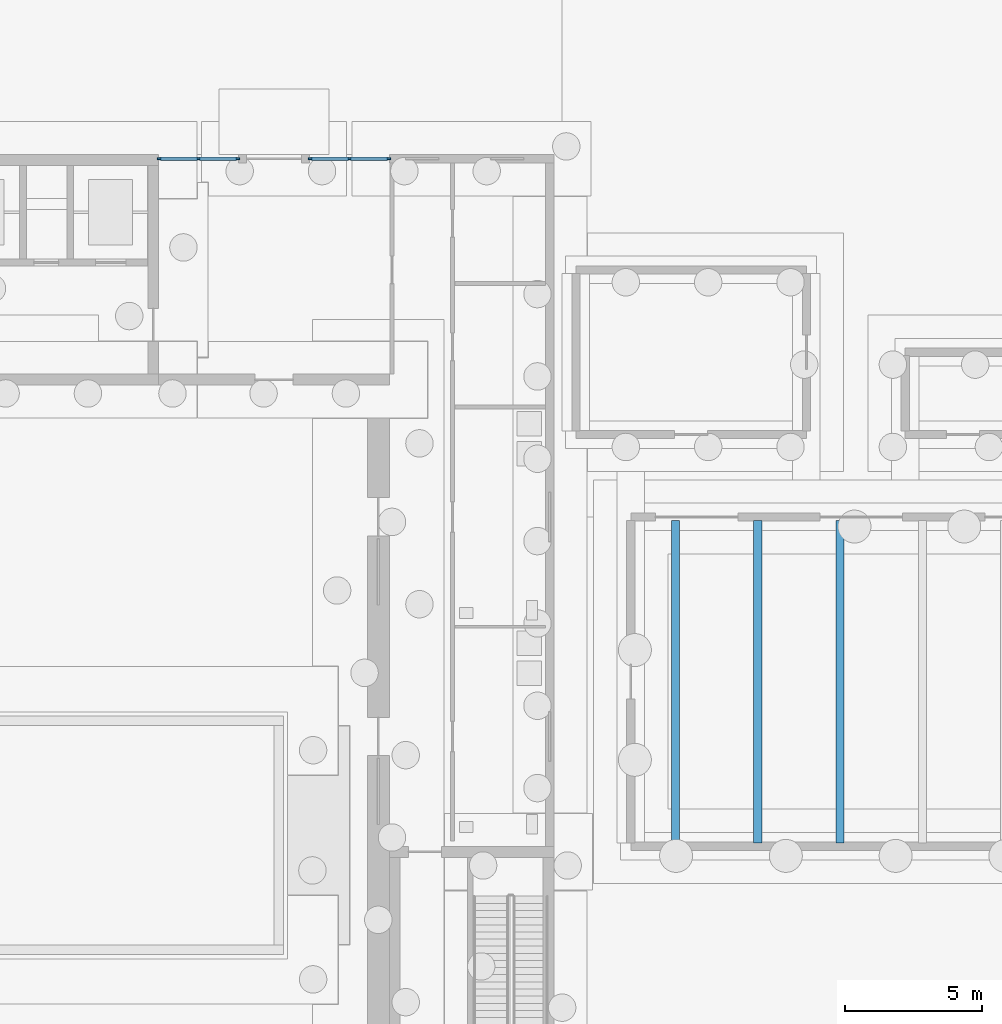
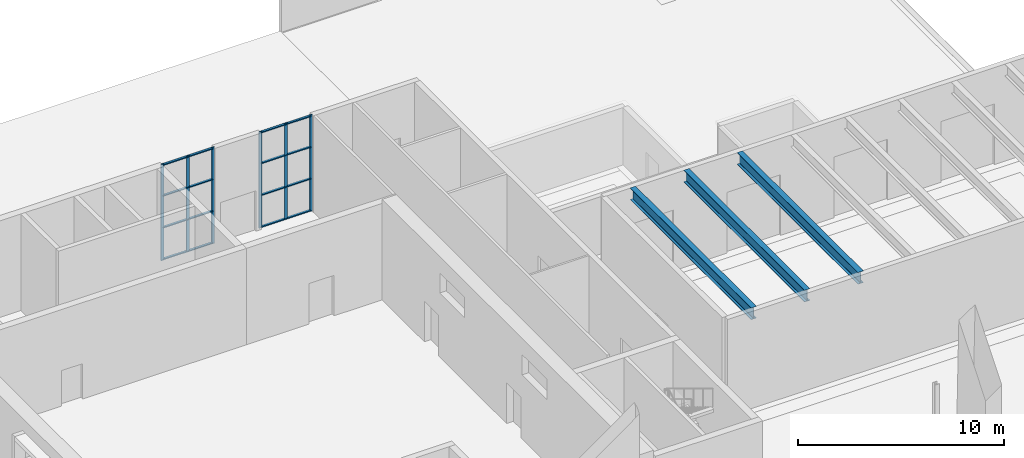
# One storey, part 44 of 108: 22 members, 3 beams, 2 elements without a shape of their own.
"""IFC4 building model written with IfcOpenShell, lengths in metres."""

from ifc_helpers import new_model, si_unit, direction, frame, origin, origin_2d, place, context, subcontext, project, spatial, rectangle, i_section, extrude, material, material_profile, profile_set, type_object, element, aggregate, save


model = new_model("IFC4")

# Units and contexts
model_context = context("Model", 3, precision=1e-05, world=origin(), true_north=direction((0.0, 1.0)))
body_context = subcontext(model_context, "Body", "Model", "MODEL_VIEW")
ifc_project = project(units=[si_unit("LENGTHUNIT", "METRE"), si_unit("AREAUNIT", "SQUARE_METRE"), si_unit("VOLUMEUNIT", "CUBIC_METRE"), si_unit("PLANEANGLEUNIT", "RADIAN"), si_unit("MASSUNIT", "GRAM", prefix="KILO")], contexts=[model_context])

# Site, building, storey
site_placement = place(None, origin())
site = spatial("IfcSite", under=ifc_project, at=site_placement, CompositionType="ELEMENT")
building_placement = place(site_placement, origin())
building = spatial("IfcBuilding", under=site, at=building_placement, Name="Cresset Court Congress Hotel", CompositionType="ELEMENT")
storey_placement = place(building_placement, origin())
storey = spatial("IfcBuildingStorey", under=building, at=storey_placement, Name="L00", CompositionType="ELEMENT", Elevation=0.0)

# Curtain wall, members
ifc_material_1 = material(Name="Aluminium frame with insulated glass", Category="aluminium")
curtain_wall_type = type_object("IfcCurtainWallType", Name="Curtain wall module 1600", PredefinedType="NOTDEFINED", material=ifc_material_1)
curtain_wall_1_placement = place(storey_placement, origin())
curtain_wall_1 = element("IfcCurtainWall", 1, at=curtain_wall_1_placement, inside=storey, type_object=curtain_wall_type, Name="Curtain wall N1", PredefinedType="NOTDEFINED")
ifc_material_2 = material(Name="Aluminium", Category="aluminium")
ifc_material_profile_1 = material_profile(ifc_material_2, rectangle(XDim=0.1201171875, YDim=0.06005859375, at=origin_2d()), Name="AL 120x60")
ifc_profile_set_1 = profile_set([ifc_material_profile_1], Name="Aluminium")
member_type_1 = type_object("IfcMemberType", Name="CW transom RECT 120x60", PredefinedType="USERDEFINED", material=ifc_profile_set_1)
member_1_placement = place(storey_placement, frame((142.860107421875, 109.050048828125, 0.06005859375), z_axis=(1.0, 0.0, 0.0), x_axis=(0.0, 1.0, 0.0)))
member_1 = element("IfcMember", 2, at=member_1_placement, type_object=member_type_1, Name="D-X3 transom 1.1", ObjectType="TRANSOM", PredefinedType="USERDEFINED", context=body_context, shape_type="SweptSolid", body=[
    extrude(rectangle(XDim=0.1201171875, YDim=0.06005859375, at=origin_2d()), origin(), (0.0, 0.0, 1.0), 1.35986328125),
])
member_2_placement = place(storey_placement, frame((142.860107421875, 109.050048828125, 1.945068359375), z_axis=(1.0, 0.0, 0.0), x_axis=(0.0, 1.0, 0.0)))
member_2 = element("IfcMember", 3, at=member_2_placement, type_object=member_type_1, Name="D-X3 transom 1.2", ObjectType="TRANSOM", PredefinedType="USERDEFINED", context=body_context, shape_type="SweptSolid", body=[
    extrude(rectangle(XDim=0.1201171875, YDim=0.06005859375, at=origin_2d()), origin(), (0.0, 0.0, 1.0), 1.35986328125),
])
member_3_placement = place(storey_placement, frame((142.860107421875, 109.050048828125, 3.83203125), z_axis=(1.0, 0.0, 0.0), x_axis=(0.0, 1.0, 0.0)))
member_3 = element("IfcMember", 4, at=member_3_placement, type_object=member_type_1, Name="D-X3 transom 1.3", ObjectType="TRANSOM", PredefinedType="USERDEFINED", context=body_context, shape_type="SweptSolid", body=[
    extrude(rectangle(XDim=0.1201171875, YDim=0.06005859375, at=origin_2d()), origin(), (0.0, 0.0, 1.0), 1.35986328125),
])
member_4_placement = place(storey_placement, frame((142.860107421875, 109.050048828125, 5.659912109375), z_axis=(1.0, 0.0, 0.0), x_axis=(0.0, 1.0, 0.0)))
member_4 = element("IfcMember", 5, at=member_4_placement, type_object=member_type_1, Name="D-X3 transom 1.4", ObjectType="TRANSOM", PredefinedType="USERDEFINED", context=body_context, shape_type="SweptSolid", body=[
    extrude(rectangle(XDim=0.1201171875, YDim=0.06005859375, at=origin_2d()), origin(), (0.0, 0.0, 1.0), 1.35986328125),
])
member_5_placement = place(storey_placement, frame((144.280029296875, 109.050048828125, 0.06005859375), z_axis=(1.0, 0.0, 0.0), x_axis=(0.0, 1.0, 0.0)))
member_5 = element("IfcMember", 6, at=member_5_placement, type_object=member_type_1, Name="D-X3 transom 2.1", ObjectType="TRANSOM", PredefinedType="USERDEFINED", context=body_context, shape_type="SweptSolid", body=[
    extrude(rectangle(XDim=0.1201171875, YDim=0.06005859375, at=origin_2d()), origin(), (0.0, 0.0, 1.0), 1.35986328125),
])
member_6_placement = place(storey_placement, frame((144.280029296875, 109.050048828125, 1.945068359375), z_axis=(1.0, 0.0, 0.0), x_axis=(0.0, 1.0, 0.0)))
member_6 = element("IfcMember", 7, at=member_6_placement, type_object=member_type_1, Name="D-X3 transom 2.2", ObjectType="TRANSOM", PredefinedType="USERDEFINED", context=body_context, shape_type="SweptSolid", body=[
    extrude(rectangle(XDim=0.1201171875, YDim=0.06005859375, at=origin_2d()), origin(), (0.0, 0.0, 1.0), 1.35986328125),
])
member_7_placement = place(storey_placement, frame((144.280029296875, 109.050048828125, 3.83203125), z_axis=(1.0, 0.0, 0.0), x_axis=(0.0, 1.0, 0.0)))
member_7 = element("IfcMember", 8, at=member_7_placement, type_object=member_type_1, Name="D-X3 transom 2.3", ObjectType="TRANSOM", PredefinedType="USERDEFINED", context=body_context, shape_type="SweptSolid", body=[
    extrude(rectangle(XDim=0.1201171875, YDim=0.06005859375, at=origin_2d()), origin(), (0.0, 0.0, 1.0), 1.35986328125),
])
member_8_placement = place(storey_placement, frame((144.280029296875, 109.050048828125, 5.659912109375), z_axis=(1.0, 0.0, 0.0), x_axis=(0.0, 1.0, 0.0)))
member_8 = element("IfcMember", 9, at=member_8_placement, type_object=member_type_1, Name="D-X3 transom 2.4", ObjectType="TRANSOM", PredefinedType="USERDEFINED", context=body_context, shape_type="SweptSolid", body=[
    extrude(rectangle(XDim=0.1201171875, YDim=0.06005859375, at=origin_2d()), origin(), (0.0, 0.0, 1.0), 1.35986328125),
])

curtain_wall_2_placement = place(storey_placement, origin())
curtain_wall_2 = element("IfcCurtainWall", 10, at=curtain_wall_2_placement, inside=storey, type_object=curtain_wall_type, Name="Curtain wall N2", PredefinedType="NOTDEFINED")
member_9_placement = place(storey_placement, frame((148.360107421875, 109.050048828125, 0.06005859375), z_axis=(1.0, 0.0, 0.0), x_axis=(0.0, 1.0, 0.0)))
member_9 = element("IfcMember", 11, at=member_9_placement, type_object=member_type_1, Name="D-X3 transom 1.1", ObjectType="TRANSOM", PredefinedType="USERDEFINED", context=body_context, shape_type="SweptSolid", body=[
    extrude(rectangle(XDim=0.1201171875, YDim=0.06005859375, at=origin_2d()), origin(), (0.0, 0.0, 1.0), 1.35986328125),
])
member_10_placement = place(storey_placement, frame((148.360107421875, 109.050048828125, 1.945068359375), z_axis=(1.0, 0.0, 0.0), x_axis=(0.0, 1.0, 0.0)))
member_10 = element("IfcMember", 12, at=member_10_placement, type_object=member_type_1, Name="D-X3 transom 1.2", ObjectType="TRANSOM", PredefinedType="USERDEFINED", context=body_context, shape_type="SweptSolid", body=[
    extrude(rectangle(XDim=0.1201171875, YDim=0.06005859375, at=origin_2d()), origin(), (0.0, 0.0, 1.0), 1.35986328125),
])
member_11_placement = place(storey_placement, frame((148.360107421875, 109.050048828125, 3.83203125), z_axis=(1.0, 0.0, 0.0), x_axis=(0.0, 1.0, 0.0)))
member_11 = element("IfcMember", 13, at=member_11_placement, type_object=member_type_1, Name="D-X3 transom 1.3", ObjectType="TRANSOM", PredefinedType="USERDEFINED", context=body_context, shape_type="SweptSolid", body=[
    extrude(rectangle(XDim=0.1201171875, YDim=0.06005859375, at=origin_2d()), origin(), (0.0, 0.0, 1.0), 1.35986328125),
])
member_12_placement = place(storey_placement, frame((148.360107421875, 109.050048828125, 5.659912109375), z_axis=(1.0, 0.0, 0.0), x_axis=(0.0, 1.0, 0.0)))
member_12 = element("IfcMember", 14, at=member_12_placement, type_object=member_type_1, Name="D-X3 transom 1.4", ObjectType="TRANSOM", PredefinedType="USERDEFINED", context=body_context, shape_type="SweptSolid", body=[
    extrude(rectangle(XDim=0.1201171875, YDim=0.06005859375, at=origin_2d()), origin(), (0.0, 0.0, 1.0), 1.35986328125),
])
member_13_placement = place(storey_placement, frame((149.780029296875, 109.050048828125, 0.06005859375), z_axis=(1.0, 0.0, 0.0), x_axis=(0.0, 1.0, 0.0)))
member_13 = element("IfcMember", 15, at=member_13_placement, type_object=member_type_1, Name="D-X3 transom 2.1", ObjectType="TRANSOM", PredefinedType="USERDEFINED", context=body_context, shape_type="SweptSolid", body=[
    extrude(rectangle(XDim=0.1201171875, YDim=0.06005859375, at=origin_2d()), origin(), (0.0, 0.0, 1.0), 1.35986328125),
])
member_14_placement = place(storey_placement, frame((149.780029296875, 109.050048828125, 1.945068359375), z_axis=(1.0, 0.0, 0.0), x_axis=(0.0, 1.0, 0.0)))
member_14 = element("IfcMember", 16, at=member_14_placement, type_object=member_type_1, Name="D-X3 transom 2.2", ObjectType="TRANSOM", PredefinedType="USERDEFINED", context=body_context, shape_type="SweptSolid", body=[
    extrude(rectangle(XDim=0.1201171875, YDim=0.06005859375, at=origin_2d()), origin(), (0.0, 0.0, 1.0), 1.35986328125),
])
member_15_placement = place(storey_placement, frame((149.780029296875, 109.050048828125, 3.83203125), z_axis=(1.0, 0.0, 0.0), x_axis=(0.0, 1.0, 0.0)))
member_15 = element("IfcMember", 17, at=member_15_placement, type_object=member_type_1, Name="D-X3 transom 2.3", ObjectType="TRANSOM", PredefinedType="USERDEFINED", context=body_context, shape_type="SweptSolid", body=[
    extrude(rectangle(XDim=0.1201171875, YDim=0.06005859375, at=origin_2d()), origin(), (0.0, 0.0, 1.0), 1.35986328125),
])
member_16_placement = place(storey_placement, frame((149.780029296875, 109.050048828125, 5.659912109375), z_axis=(1.0, 0.0, 0.0), x_axis=(0.0, 1.0, 0.0)))
member_16 = element("IfcMember", 18, at=member_16_placement, type_object=member_type_1, Name="D-X3 transom 2.4", ObjectType="TRANSOM", PredefinedType="USERDEFINED", context=body_context, shape_type="SweptSolid", body=[
    extrude(rectangle(XDim=0.1201171875, YDim=0.06005859375, at=origin_2d()), origin(), (0.0, 0.0, 1.0), 1.35986328125),
])

# Member
ifc_material_3 = material(Name="Anodised aluminium", Category="aluminium")
ifc_material_profile_2 = material_profile(ifc_material_3, rectangle(XDim=0.06005859375, YDim=0.159912109375, at=origin_2d()), Name="AL60x160")
ifc_profile_set_2 = profile_set([ifc_material_profile_2], Name="Anodised aluminium")
member_type_2 = type_object("IfcMemberType", Name="Curtain wall mullion 60x160", PredefinedType="MULLION", material=ifc_profile_set_2)
member_17_placement = place(storey_placement, frame((142.830078125, 109.050048828125, 0.0), z_axis=(0.0, 0.0, 1.0), x_axis=(0.0, 1.0, 0.0)))
member_17 = element("IfcMember", 19, at=member_17_placement, type_object=member_type_2, Name="D-X3 mullion 1", PredefinedType="MULLION", context=body_context, shape_type="SweptSolid", body=[
    extrude(rectangle(XDim=0.06005859375, YDim=0.159912109375, at=origin_2d()), origin(), (0.0, 0.0, 1.0), 5.719970703125),
])

member_18_placement = place(storey_placement, frame((144.25, 109.050048828125, 0.0), z_axis=(0.0, 0.0, 1.0), x_axis=(0.0, 1.0, 0.0)))
member_18 = element("IfcMember", 20, at=member_18_placement, type_object=member_type_2, Name="D-X3 mullion 2", PredefinedType="MULLION", context=body_context, shape_type="SweptSolid", body=[
    extrude(rectangle(XDim=0.06005859375, YDim=0.159912109375, at=origin_2d()), origin(), (0.0, 0.0, 1.0), 5.719970703125),
])

member_19_placement = place(storey_placement, frame((145.669921875, 109.050048828125, 0.0), z_axis=(0.0, 0.0, 1.0), x_axis=(0.0, 1.0, 0.0)))
member_19 = element("IfcMember", 21, at=member_19_placement, type_object=member_type_2, Name="D-X3 mullion 3", PredefinedType="MULLION", context=body_context, shape_type="SweptSolid", body=[
    extrude(rectangle(XDim=0.06005859375, YDim=0.159912109375, at=origin_2d()), origin(), (0.0, 0.0, 1.0), 5.719970703125),
])

aggregate(curtain_wall_1, [member_17, member_18, member_19, member_1, member_2, member_3, member_4, member_5, member_6, member_7, member_8])

member_20_placement = place(storey_placement, frame((148.330078125, 109.050048828125, 0.0), z_axis=(0.0, 0.0, 1.0), x_axis=(0.0, 1.0, 0.0)))
member_20 = element("IfcMember", 22, at=member_20_placement, type_object=member_type_2, Name="D-X3 mullion 1", PredefinedType="MULLION", context=body_context, shape_type="SweptSolid", body=[
    extrude(rectangle(XDim=0.06005859375, YDim=0.159912109375, at=origin_2d()), origin(), (0.0, 0.0, 1.0), 5.719970703125),
])

member_21_placement = place(storey_placement, frame((149.75, 109.050048828125, 0.0), z_axis=(0.0, 0.0, 1.0), x_axis=(0.0, 1.0, 0.0)))
member_21 = element("IfcMember", 23, at=member_21_placement, type_object=member_type_2, Name="D-X3 mullion 2", PredefinedType="MULLION", context=body_context, shape_type="SweptSolid", body=[
    extrude(rectangle(XDim=0.06005859375, YDim=0.159912109375, at=origin_2d()), origin(), (0.0, 0.0, 1.0), 5.719970703125),
])

member_22_placement = place(storey_placement, frame((151.169921875, 109.050048828125, 0.0), z_axis=(0.0, 0.0, 1.0), x_axis=(0.0, 1.0, 0.0)))
member_22 = element("IfcMember", 24, at=member_22_placement, type_object=member_type_2, Name="D-X3 mullion 3", PredefinedType="MULLION", context=body_context, shape_type="SweptSolid", body=[
    extrude(rectangle(XDim=0.06005859375, YDim=0.159912109375, at=origin_2d()), origin(), (0.0, 0.0, 1.0), 5.719970703125),
])

aggregate(curtain_wall_2, [member_20, member_21, member_22, member_9, member_10, member_11, member_12, member_13, member_14, member_15, member_16])

# Beams
ifc_material_4 = material(Name="Structural steel Q355B", Category="steel")
ifc_material_profile_3 = material_profile(ifc_material_4, i_section(OverallWidth=0.300048828125, OverallDepth=0.699951171875, WebThickness=0.012939453125, FlangeThickness=0.02392578125, FilletRadius=0.01806640625, at=origin_2d()), Name="HN700x300x13x24")
ifc_profile_set_3 = profile_set([ifc_material_profile_3], Name="Structural steel Q355B")
beam_type = type_object("IfcBeamType", Name="Steel beam HN700x300x13x24", PredefinedType="BEAM", material=ifc_profile_set_3)
for number, where, z_axis, x_axis, name in (
    (25, (161.625, 84.125, 5.39990234375), (0.0, 1.0, 0.0), (-1.0, 0.0, 0.0), "S.svc.DK.B01"),
    (26, (164.625, 84.125, 5.39990234375), (0.0, 1.0, 0.0), (-1.0, 0.0, 0.0), "S.svc.DK.B02"),
    (27, (167.625, 84.125, 5.39990234375), (0.0, 1.0, 0.0), (-1.0, 0.0, 0.0), "S.svc.DK.B03"),
):
    element("IfcBeam", number, at=place(storey_placement, frame(where, z_axis=z_axis, x_axis=x_axis)), inside=storey, type_object=beam_type, Name=name, PredefinedType="BEAM", context=body_context, shape_type="SweptSolid", body=[
        extrude(i_section(OverallWidth=0.300048828125, OverallDepth=0.699951171875, WebThickness=0.012939453125, FlangeThickness=0.02392578125, FilletRadius=0.01806640625, at=origin_2d()), origin(), (0.0, 0.0, 1.0), 11.75),
    ])

save(model, "model.ifc")
